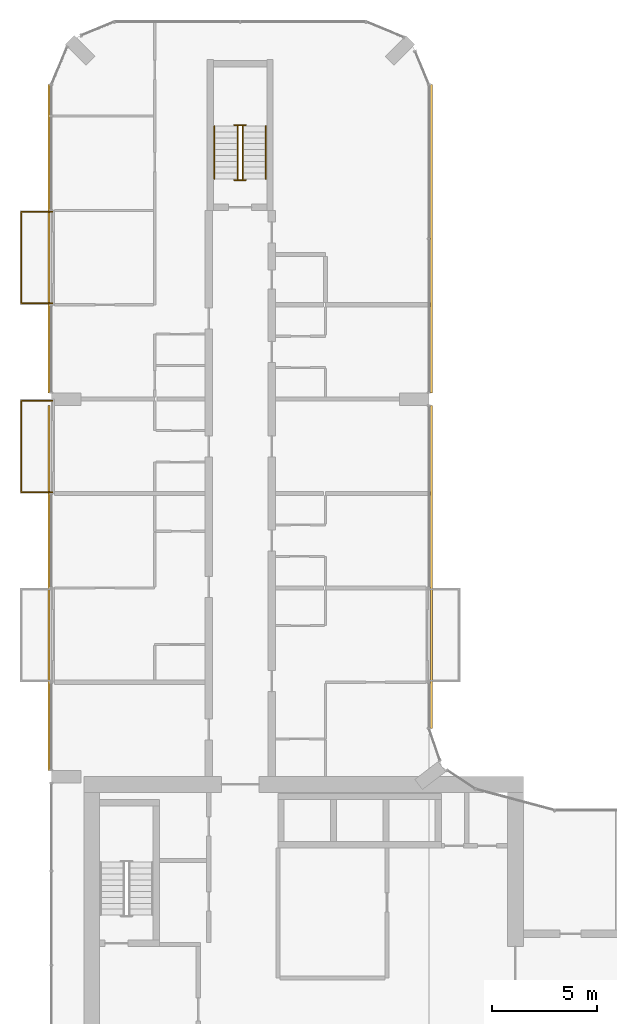
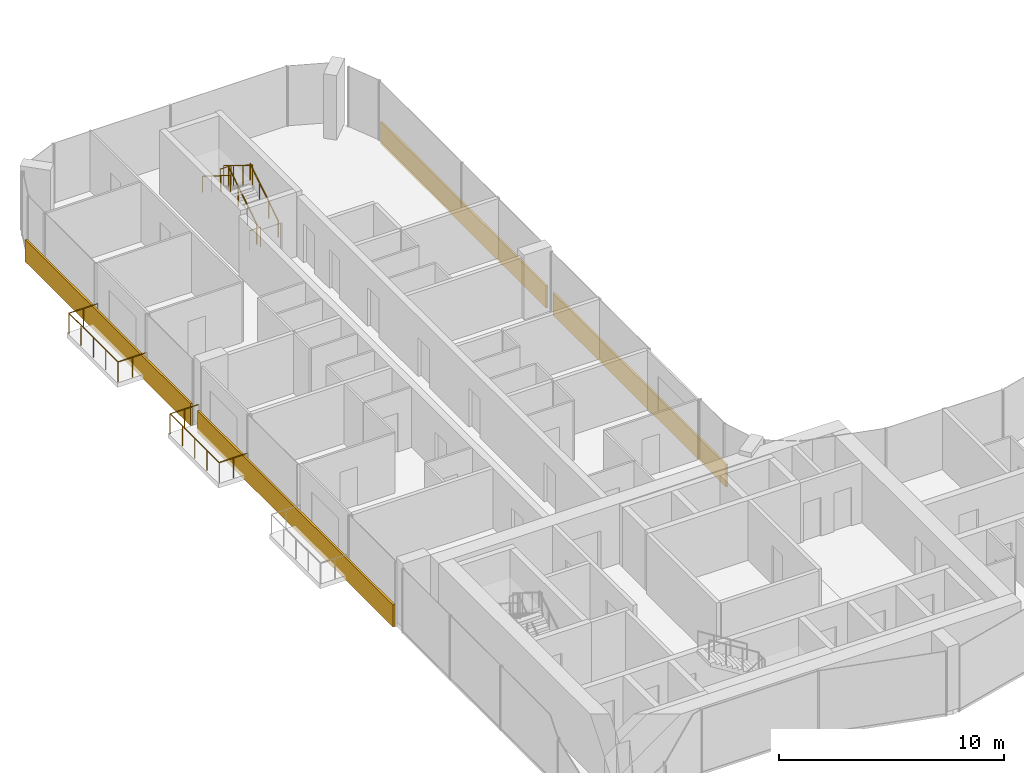
# One storey, part 21 of 22: 8 railings, 4 coverings.
"""IFC4 building model written with IfcOpenShell, lengths in metres."""

from ifc_helpers import new_model, si_unit, direction, frame, origin, origin_2d, place, context, subcontext, project, spatial, rectangle, circle, extrude, material, layer, layer_set, type_object, element, save


model = new_model("IFC4")

# Units and contexts
model_context = context("Model", 3, precision=1e-05, world=origin(), true_north=direction((0.0, 1.0)))
body_context = subcontext(model_context, "Body", "Model", "MODEL_VIEW")
ifc_project = project(units=[si_unit("LENGTHUNIT", "METRE"), si_unit("AREAUNIT", "SQUARE_METRE"), si_unit("VOLUMEUNIT", "CUBIC_METRE"), si_unit("PLANEANGLEUNIT", "RADIAN"), si_unit("MASSUNIT", "GRAM", prefix="KILO")], contexts=[model_context])

# Site, building, storey
site_placement = place(None, origin())
site = spatial("IfcSite", under=ifc_project, at=site_placement, CompositionType="ELEMENT")
building_placement = place(site_placement, origin())
building = spatial("IfcBuilding", under=site, at=building_placement, Name="Plateau Cross Towers", CompositionType="ELEMENT")
storey_placement = place(building_placement, frame((0.0, 0.0, 54.800048828125)))
storey = spatial("IfcBuildingStorey", under=building, at=storey_placement, Name="L13", CompositionType="ELEMENT", Elevation=54.800048828125)

# Railings
ifc_material_1 = material(Name="Stainless steel and toughened glass", Category="steel")
railing_type_1 = type_object("IfcRailingType", Name="Glass balustrade guard 1100", PredefinedType="GUARDRAIL", material=ifc_material_1)
for number, where, name in (
    (1, (0.050048828125, 31.570068359375, 0.0), "Guard guard1"),
    (2, (0.050048828125, 40.570068359375, 0.0), "Guard guard1"),
):
    element("IfcRailing", number, at=place(storey_placement, frame(where)), inside=storey, type_object=railing_type_1, Name=name, PredefinedType="GUARDRAIL", context=body_context, shape_type="SweptSolid", body=[
        extrude(circle(Radius=0.02392578125, at=origin_2d()), frame((0.0, 0.0, 1.076171875), z_axis=(-1.0, 0.0, 0.0), x_axis=(0.0, -1.0, 0.0)), (0.0, 0.0, 1.0), 1.47998046875),
        extrude(circle(Radius=0.02392578125, at=origin_2d()), frame((-1.47998046875, 0.0, 1.076171875), z_axis=(0.0, 1.0, 0.0), x_axis=(-1.0, 0.0, 0.0)), (0.0, 0.0, 1.0), 4.35986328125),
        extrude(circle(Radius=0.02392578125, at=origin_2d()), frame((-1.47998046875, 4.35986328125, 1.076171875), z_axis=(1.0, 0.0, 0.0), x_axis=(0.0, 1.0, 0.0)), (0.0, 0.0, 1.0), 1.47998046875),
        extrude(circle(Radius=0.02099609375, at=origin_2d()), origin(), (0.0, 0.0, 1.0), 1.052001953125),
        extrude(circle(Radius=0.02099609375, at=origin_2d()), frame((-0.739990234375, 0.0, 0.0)), (0.0, 0.0, 1.0), 1.052001953125),
        extrude(circle(Radius=0.02099609375, at=origin_2d()), frame((-1.47998046875, 0.0, 0.0)), (0.0, 0.0, 1.0), 1.052001953125),
        extrude(circle(Radius=0.02099609375, at=origin_2d()), frame((-1.47998046875, 1.08984375, 0.0)), (0.0, 0.0, 1.0), 1.052001953125),
        extrude(circle(Radius=0.02099609375, at=origin_2d()), frame((-1.47998046875, 2.179931640625, 0.0)), (0.0, 0.0, 1.0), 1.052001953125),
        extrude(circle(Radius=0.02099609375, at=origin_2d()), frame((-1.47998046875, 3.27001953125, 0.0)), (0.0, 0.0, 1.0), 1.052001953125),
        extrude(circle(Radius=0.02099609375, at=origin_2d()), frame((-1.47998046875, 4.35986328125, 0.0)), (0.0, 0.0, 1.0), 1.052001953125),
        extrude(circle(Radius=0.02099609375, at=origin_2d()), frame((-0.739990234375, 4.35986328125, 0.0)), (0.0, 0.0, 1.0), 1.052001953125),
        extrude(circle(Radius=0.02099609375, at=origin_2d()), frame((0.0, 4.35986328125, 0.0)), (0.0, 0.0, 1.0), 1.052001953125),
    ])
railing_type_2 = type_object("IfcRailingType", Name="RL-GUARD-1100", PredefinedType="GUARDRAIL", material=ifc_material_1)
railing_1_placement = place(storey_placement, frame((9.125, 46.5, 0.175048828125)))
element("IfcRailing", 3, at=railing_1_placement, inside=storey, type_object=railing_type_2, Name="L13 ES-N stair guard 1", PredefinedType="GUARDRAIL", context=body_context, shape_type="SweptSolid", body=[
    extrude(circle(Radius=0.02392578125, at=origin_2d()), frame((0.0, 0.0, 1.076171875), z_axis=(0.0, 0.848007534815, 0.529984170421), x_axis=(-1.0, 0.0, 0.0)), (0.0, 0.0, 1.0), 2.9716796875),
    extrude(circle(Radius=0.02099609375, at=origin_2d()), origin(), (0.0, 0.0, 1.0), 1.052001953125),
    extrude(circle(Radius=0.02099609375, at=origin_2d()), frame((0.0, 0.840087890625, 0.52490234375)), (0.0, 0.0, 1.0), 1.052001953125),
    extrude(circle(Radius=0.02099609375, at=origin_2d()), frame((0.0, 1.679931640625, 1.050048828125)), (0.0, 0.0, 1.0), 1.052001953125),
    extrude(circle(Radius=0.02099609375, at=origin_2d()), frame((0.0, 2.52001953125, 1.574951171875)), (0.0, 0.0, 1.0), 1.052001953125),
])
railing_2_placement = place(storey_placement, frame((9.27490234375, 49.070068359375, 1.75)))
element("IfcRailing", 4, at=railing_2_placement, inside=storey, type_object=railing_type_2, Name="L13 ES-N stair guard 2", PredefinedType="GUARDRAIL", context=body_context, shape_type="SweptSolid", body=[
    extrude(circle(Radius=0.02392578125, at=origin_2d()), frame((0.0, 0.0, 1.076171875), z_axis=(-1.0, 0.0, 0.0), x_axis=(0.0, -1.0, 0.0)), (0.0, 0.0, 1.0), 0.5498046875),
    extrude(circle(Radius=0.02099609375, at=origin_2d()), origin(), (0.0, 0.0, 1.0), 1.052001953125),
    extrude(circle(Radius=0.02099609375, at=origin_2d()), frame((-0.5498046875, 0.0, 0.0)), (0.0, 0.0, 1.0), 1.052001953125),
])
railing_3_placement = place(storey_placement, frame((8.875, 49.02001953125, 1.925048828125)))
element("IfcRailing", 5, at=railing_3_placement, inside=storey, type_object=railing_type_2, Name="L13 ES-N stair guard 3", PredefinedType="GUARDRAIL", context=body_context, shape_type="SweptSolid", body=[
    extrude(circle(Radius=0.02392578125, at=origin_2d()), frame((0.0, 0.0, 1.076171875), z_axis=(0.0, -0.852638500773, 0.522501279423), x_axis=(1.0, 0.0, 0.0)), (0.0, 0.0, 1.0), 3.01416015625),
    extrude(circle(Radius=0.02099609375, at=origin_2d()), origin(), (0.0, 0.0, 1.0), 1.052001953125),
    extrude(circle(Radius=0.02099609375, at=origin_2d()), frame((0.0, -0.856689453125, 0.52490234375)), (0.0, 0.0, 1.0), 1.052001953125),
    extrude(circle(Radius=0.02099609375, at=origin_2d()), frame((0.0, -1.71337890625, 1.050048828125)), (0.0, 0.0, 1.0), 1.052001953125),
    extrude(circle(Radius=0.02099609375, at=origin_2d()), frame((0.0, -2.570068359375, 1.574951171875)), (0.0, 0.0, 1.0), 1.052001953125),
])
railing_4_placement = place(storey_placement, frame((9.27490234375, 46.449951171875, 0.0)))
element("IfcRailing", 6, at=railing_4_placement, inside=storey, type_object=railing_type_2, Name="L13 ES-N stair guard 4", PredefinedType="GUARDRAIL", context=body_context, shape_type="SweptSolid", body=[
    extrude(circle(Radius=0.02392578125, at=origin_2d()), frame((0.0, 0.0, 1.076171875), z_axis=(-1.0, 0.0, 0.0), x_axis=(0.0, -1.0, 0.0)), (0.0, 0.0, 1.0), 0.5498046875),
    extrude(circle(Radius=0.02099609375, at=origin_2d()), origin(), (0.0, 0.0, 1.0), 1.052001953125),
    extrude(circle(Radius=0.02099609375, at=origin_2d()), frame((-0.5498046875, 0.0, 0.0)), (0.0, 0.0, 1.0), 1.052001953125),
])
ifc_material_2 = material(Name="Black anodised aluminium", Category="aluminium")
railing_type_3 = type_object("IfcRailingType", Name="RL-HANDRAIL-900", PredefinedType="HANDRAIL", material=ifc_material_2)
railing_5_placement = place(storey_placement, frame((10.22509765625, 46.5, 0.175048828125)))
element("IfcRailing", 7, at=railing_5_placement, inside=storey, type_object=railing_type_3, Name="L13 ES-N stair handrail 1", PredefinedType="HANDRAIL", context=body_context, shape_type="SweptSolid", body=[
    extrude(circle(Radius=0.02392578125, at=origin_2d()), frame((0.0, 0.0, 0.8759765625), z_axis=(0.0, 0.848007534815, 0.529984170421), x_axis=(-1.0, 0.0, 0.0)), (0.0, 0.0, 1.0), 2.9716796875),
    extrude(circle(Radius=0.02099609375, at=origin_2d()), origin(), (0.0, 0.0, 1.0), 0.851806640625),
    extrude(circle(Radius=0.02099609375, at=origin_2d()), frame((0.0, 0.840087890625, 0.52490234375)), (0.0, 0.0, 1.0), 0.851806640625),
    extrude(circle(Radius=0.02099609375, at=origin_2d()), frame((0.0, 1.679931640625, 1.050048828125)), (0.0, 0.0, 1.0), 0.851806640625),
    extrude(circle(Radius=0.02099609375, at=origin_2d()), frame((0.0, 2.52001953125, 1.574951171875)), (0.0, 0.0, 1.0), 0.851806640625),
])
railing_6_placement = place(storey_placement, frame((7.77490234375, 49.02001953125, 1.925048828125)))
element("IfcRailing", 8, at=railing_6_placement, inside=storey, type_object=railing_type_3, Name="L13 ES-N stair handrail 2", PredefinedType="HANDRAIL", context=body_context, shape_type="SweptSolid", body=[
    extrude(circle(Radius=0.02392578125, at=origin_2d()), frame((0.0, 0.0, 0.8759765625), z_axis=(0.0, -0.848007534815, 0.529984170421), x_axis=(1.0, 0.0, 0.0)), (0.0, 0.0, 1.0), 2.9716796875),
    extrude(circle(Radius=0.02099609375, at=origin_2d()), origin(), (0.0, 0.0, 1.0), 0.851806640625),
    extrude(circle(Radius=0.02099609375, at=origin_2d()), frame((0.0, -0.840087890625, 0.52490234375)), (0.0, 0.0, 1.0), 0.851806640625),
    extrude(circle(Radius=0.02099609375, at=origin_2d()), frame((0.0, -1.679931640625, 1.050048828125)), (0.0, 0.0, 1.0), 0.851806640625),
    extrude(circle(Radius=0.02099609375, at=origin_2d()), frame((0.0, -2.52001953125, 1.574951171875)), (0.0, 0.0, 1.0), 0.851806640625),
])

# Coverings
ifc_material_3 = material(Name="Precast concrete cladding C40/50", Category="concrete")
ifc_layer = layer(ifc_material_3, 0.10009765625)
ifc_layer_set = layer_set([ifc_layer], Name="Precast concrete cladding C40/50")
covering_type = type_object("IfcCoveringType", Name="Spandrel band cladding 100x1200", PredefinedType="CLADDING", material=ifc_layer_set)
covering_1_placement = place(storey_placement, frame((18.1201171875, 28.001220703125, -0.25), z_axis=(0.0, 0.0, 1.0), x_axis=(0.0, 1.0, 0.0)))
element("IfcCovering", 9, at=covering_1_placement, inside=storey, type_object=covering_type, Name="Spandrel band", PredefinedType="CLADDING", context=body_context, shape_type="SweptSolid", body=[
    extrude(rectangle(XDim=15.397705078125, YDim=0.10009765625, at=origin_2d()), origin(), (0.0, 0.0, 1.0), 1.199951171875),
])
for number, where, z_axis, x_axis, name in (
    (10, (18.1201171875, 43.64990234375, -0.25), (0.0, 0.0, 1.0), (0.0, 1.0, 0.0), "Spandrel band"),
    (11, (-0.1201171875, 43.64990234375, -0.25), (0.0, 0.0, 1.0), (0.0, -1.0, 0.0), "Spandrel band"),
):
    element("IfcCovering", number, at=place(storey_placement, frame(where, z_axis=z_axis, x_axis=x_axis)), inside=storey, type_object=covering_type, Name=name, PredefinedType="CLADDING", context=body_context, shape_type="SweptSolid", body=[
        extrude(rectangle(XDim=14.699951171875, YDim=0.10009765625, at=origin_2d()), origin(), (0.0, 0.0, 1.0), 1.199951171875),
    ])
covering_2_placement = place(storey_placement, frame((-0.1201171875, 27.0, -0.25), z_axis=(0.0, 0.0, 1.0), x_axis=(0.0, -1.0, 0.0)))
element("IfcCovering", 12, at=covering_2_placement, inside=storey, type_object=covering_type, Name="Spandrel band", PredefinedType="CLADDING", context=body_context, shape_type="SweptSolid", body=[
    extrude(rectangle(XDim=17.39990234375, YDim=0.10009765625, at=origin_2d()), origin(), (0.0, 0.0, 1.0), 1.199951171875),
])

save(model, "model.ifc")
